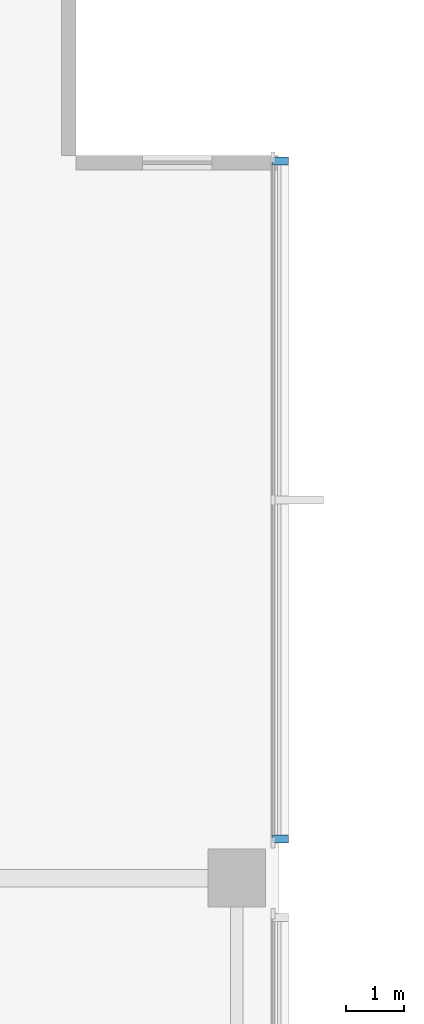
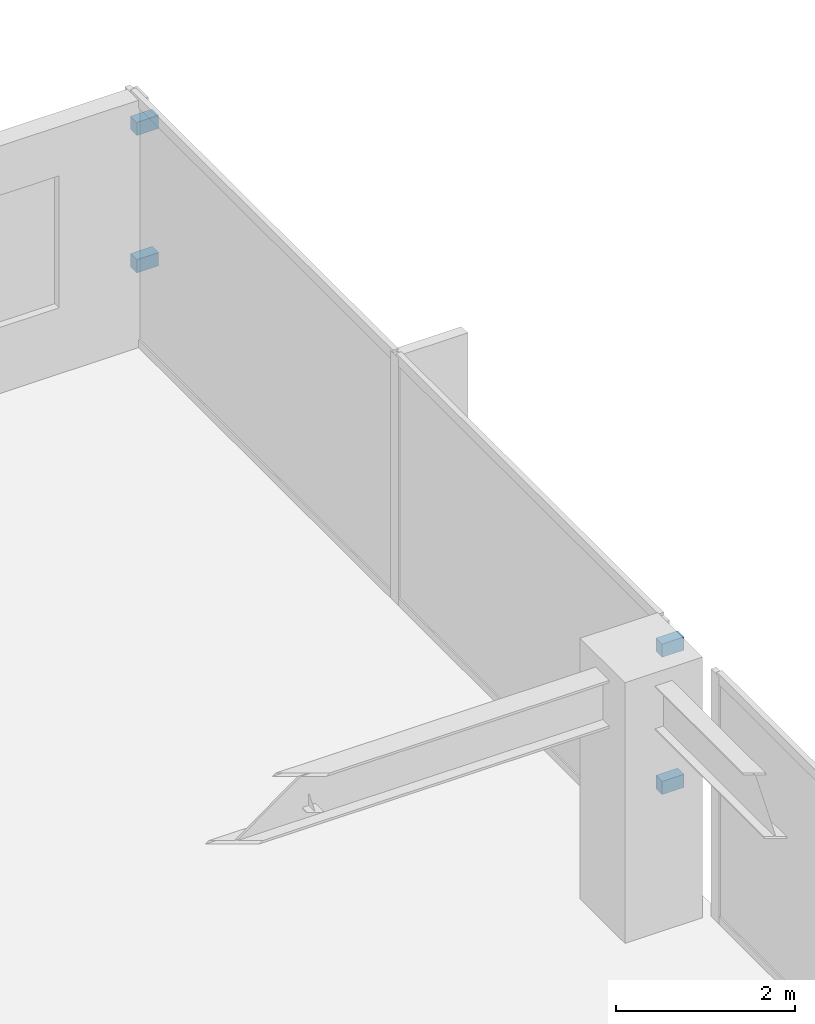
# One storey, part 11 of 15: 4 discrete accessories.
"""IFC4 building model written with IfcOpenShell, lengths in metres."""

from ifc_helpers import new_model, si_unit, direction, frame, origin, origin_2d, place, context, subcontext, project, spatial, rectangle, extrude, material, type_object, element, save


model = new_model("IFC4")

# Units and contexts
model_context = context("Model", 3, precision=1e-05, world=origin(), true_north=direction((0.0, 1.0)))
body_context = subcontext(model_context, "Body", "Model", "MODEL_VIEW")
ifc_project = project(units=[si_unit("LENGTHUNIT", "METRE"), si_unit("AREAUNIT", "SQUARE_METRE"), si_unit("VOLUMEUNIT", "CUBIC_METRE"), si_unit("PLANEANGLEUNIT", "RADIAN"), si_unit("MASSUNIT", "GRAM", prefix="KILO")], contexts=[model_context])

# Site, building, storey
site_placement = place(None, origin())
site = spatial("IfcSite", under=ifc_project, at=site_placement, CompositionType="ELEMENT")
building_placement = place(site_placement, origin())
building = spatial("IfcBuilding", under=site, at=building_placement, Name="Kinhvarn Gate Tower", CompositionType="ELEMENT")
storey_placement = place(building_placement, frame((0.0, 0.0, 36.25)))
storey = spatial("IfcBuildingStorey", under=building, at=storey_placement, Name="L08", CompositionType="ELEMENT", Elevation=36.25)

# Discrete accessories
ifc_material = material(Name="Anodised aluminium AW-6063", Category="aluminium")
discrete_accessory_type = type_object("IfcDiscreteAccessoryType", Name="ACC-BRK-01", PredefinedType="BRACKET", material=ifc_material)
for number, where, z_axis, x_axis, name in (
    (1, (53.5400390625, 32.679931640625, 0.9599609375), (0.0, 0.0, 1.0), (0.0, 1.0, 0.0), "Baguette Support Bracket BK-01 (L08)"),
    (2, (53.5400390625, 32.679931640625, 2.830078125), (0.0, 0.0, 1.0), (0.0, 1.0, 0.0), "Baguette Support Bracket BK-01 (L08)"),
    (3, (53.5400390625, 44.39990234375, 0.9599609375), (0.0, 0.0, 1.0), (0.0, 1.0, 0.0), "Baguette Support Bracket BK-01 (L08)"),
    (4, (53.5400390625, 44.39990234375, 2.830078125), (0.0, 0.0, 1.0), (0.0, 1.0, 0.0), "Baguette Support Bracket BK-01 (L08)"),
):
    element("IfcDiscreteAccessory", number, at=place(storey_placement, frame(where, z_axis=z_axis, x_axis=x_axis)), inside=storey, type_object=discrete_accessory_type, Name=name, PredefinedType="BRACKET", context=body_context, shape_type="SweptSolid", body=[
        extrude(rectangle(XDim=0.139892578125, YDim=0.280029296875, at=origin_2d()), origin(), (0.0, 0.0, 1.0), 0.179931640625),
    ])

save(model, "model.ifc")
